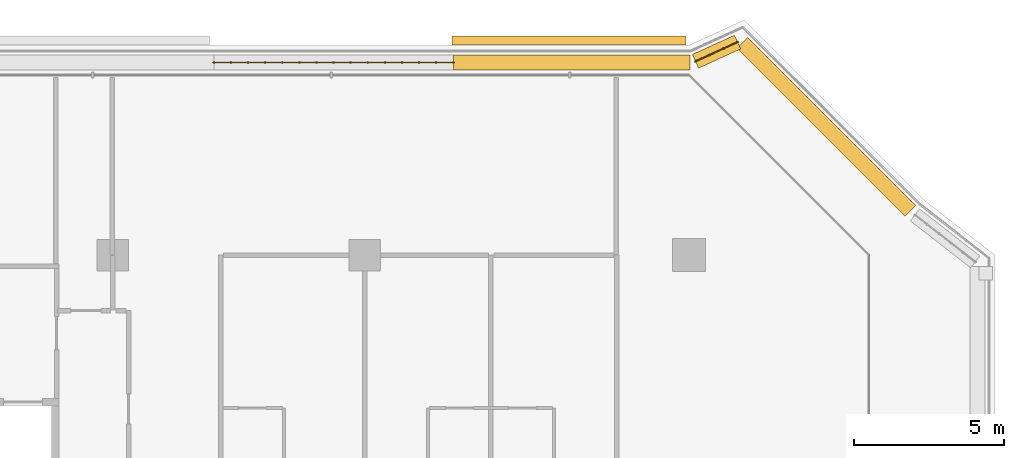
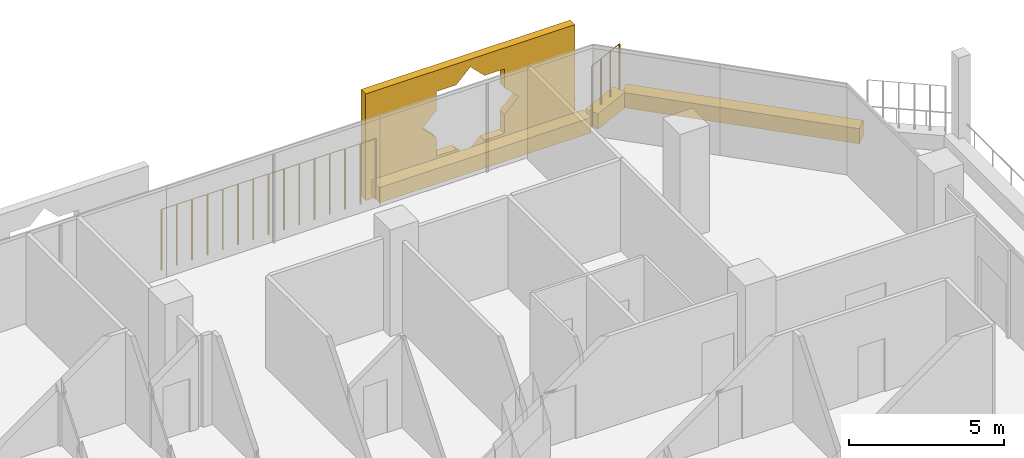
# One storey, part 25 of 25: 4 coverings, 2 railings.
"""IFC4 building model written with IfcOpenShell, lengths in metres."""

from ifc_helpers import new_model, si_unit, direction, frame, origin, origin_2d, place, context, subcontext, project, spatial, polyline, rectangle, circle, outline, extrude, material, material_profile, profile_set, type_object, element, save


model = new_model("IFC4")

# Units and contexts
model_context = context("Model", 3, precision=1e-05, world=origin(), true_north=direction((0.0, 1.0)))
body_context = subcontext(model_context, "Body", "Model", "MODEL_VIEW")
ifc_project = project(units=[si_unit("LENGTHUNIT", "METRE"), si_unit("AREAUNIT", "SQUARE_METRE"), si_unit("VOLUMEUNIT", "CUBIC_METRE"), si_unit("PLANEANGLEUNIT", "RADIAN"), si_unit("MASSUNIT", "GRAM", prefix="KILO")], contexts=[model_context])

# Site, building, storey
site_placement = place(None, origin())
site = spatial("IfcSite", under=ifc_project, at=site_placement, CompositionType="ELEMENT")
building_placement = place(site_placement, origin())
building = spatial("IfcBuilding", under=site, at=building_placement, Name="Kawkab Arch Medical Tower", CompositionType="ELEMENT")
storey_placement = place(building_placement, frame((0.0, 0.0, 132.39990234375)))
storey = spatial("IfcBuildingStorey", under=building, at=storey_placement, Name="L30", CompositionType="ELEMENT", Elevation=132.39990234375)

# Coverings
ifc_material_1 = material(Name="Bronze anodised aluminium mashrabiya panel, eight-point star pattern", Category="aluminium")
ifc_material_profile_1 = material_profile(ifc_material_1, outline(polyline([(-3.89990234375, -2.10009765625), (3.89990234375, -2.10009765625), (3.89990234375, 2.10009765625), (-3.89990234375, 2.10009765625), (-3.89990234375, -2.10009765625)]), holes=[polyline([(1.800048828125, 0.0), (1.272705078125, 0.527099609375), (1.272705078125, 1.272705078125), (0.527099609375, 1.272705078125), (0.0, 1.800048828125), (-0.527099609375, 1.272705078125), (-1.272705078125, 1.272705078125), (-1.272705078125, 0.527099609375), (-1.800048828125, 0.0), (-1.272705078125, -0.527099609375), (-1.272705078125, -1.272705078125), (-0.527099609375, -1.272705078125), (0.0, -1.800048828125), (0.527099609375, -1.272705078125), (1.272705078125, -1.272705078125), (1.272705078125, -0.527099609375), (1.800048828125, 0.0)])]), Name="Mashrabiya panel 7800x4200")
ifc_profile_set_1 = profile_set([ifc_material_profile_1], Name="Bronze anodised aluminium mashrabiya panel, eight-point star pattern")
covering_type_1 = type_object("IfcCoveringType", Name="Mashrabiya panel 7800 x 4200", PredefinedType="USERDEFINED", material=ifc_profile_set_1)
covering_1_placement = place(storey_placement, frame((65.60693359375, 7.0, 1.7001953125), z_axis=(0.0, 1.0, 0.0), x_axis=(-1.0, 0.0, 0.0)))
element("IfcCovering", 1, at=covering_1_placement, inside=storey, type_object=covering_type_1, Name="Mashrabiya panel L30.LOG-01-01.9", ObjectType="SCREEN", PredefinedType="USERDEFINED", context=body_context, shape_type="SweptSolid", body=[
    extrude(outline(polyline([(-3.89990234375, -2.10009765625), (3.89990234375, -2.10009765625), (3.89990234375, 2.10009765625), (-3.89990234375, 2.10009765625), (-3.89990234375, -2.10009765625)]), holes=[polyline([(1.800048828125, 0.0), (1.272705078125, 0.527099609375), (1.272705078125, 1.272705078125), (0.527099609375, 1.272705078125), (0.0, 1.800048828125), (-0.527099609375, 1.272705078125), (-1.272705078125, 1.272705078125), (-1.272705078125, 0.527099609375), (-1.800048828125, 0.0), (-1.272705078125, -0.527099609375), (-1.272705078125, -1.272705078125), (-0.527099609375, -1.272705078125), (0.0, -1.800048828125), (0.527099609375, -1.272705078125), (1.272705078125, -1.272705078125), (1.272705078125, -0.527099609375), (1.800048828125, 0.0)])]), origin(), (0.0, 0.0, 1.0), 0.300048828125),
])
ifc_material_2 = material(Name="Planting soil in a precast trough", Category="concrete")
ifc_material_profile_2 = material_profile(ifc_material_2, rectangle(XDim=0.5, YDim=0.60009765625, at=origin_2d()), Name="Trough 500x600")
ifc_profile_set_2 = profile_set([ifc_material_profile_2], Name="Planting soil in a precast trough")
covering_type_2 = type_object("IfcCoveringType", Name="Planter trough 500 x 600", PredefinedType="USERDEFINED", material=ifc_profile_set_2)
covering_2_placement = place(storey_placement, frame((61.743896484375, 6.419921875, 0.300048828125), z_axis=(1.0, 0.0, 0.0), x_axis=(0.0, 1.0, 0.0)))
element("IfcCovering", 2, at=covering_2_placement, inside=storey, type_object=covering_type_2, Name="Planter L30.LOG-01-01.24", ObjectType="PLANTER", PredefinedType="USERDEFINED", context=body_context, shape_type="SweptSolid", body=[
    extrude(rectangle(XDim=0.5, YDim=0.60009765625, at=origin_2d()), origin(), (0.0, 0.0, 1.0), 7.882080078125),
])
covering_3_placement = place(storey_placement, frame((69.81689453125, 6.4609375, 0.300048828125), z_axis=(0.909655525109, 0.415363486165, 0.0), x_axis=(-0.415363486165, 0.909655525109, 0.0)))
element("IfcCovering", 3, at=covering_3_placement, inside=storey, type_object=covering_type_2, Name="Planter L30.LOG-01-01.25", ObjectType="PLANTER", PredefinedType="USERDEFINED", context=body_context, shape_type="SweptSolid", body=[
    extrude(rectangle(XDim=0.5, YDim=0.60009765625, at=origin_2d()), origin(), (0.0, 0.0, 1.0), 1.54345703125),
])
covering_4_placement = place(storey_placement, frame((71.383056640625, 7.072998046875, 0.300048828125), z_axis=(0.707091367247, -0.70712219479, 0.0), x_axis=(0.70712219479, 0.707091367247, 0.0)))
element("IfcCovering", 4, at=covering_4_placement, inside=storey, type_object=covering_type_2, Name="Planter L30.LOG-01-01.26", ObjectType="PLANTER", PredefinedType="USERDEFINED", context=body_context, shape_type="SweptSolid", body=[
    extrude(rectangle(XDim=0.5, YDim=0.60009765625, at=origin_2d()), origin(), (0.0, 0.0, 1.0), 7.919677734375),
])

# Railings
ifc_material_3 = material(Name="Bronze anodised aluminium trellis for climbing plants", Category="aluminium")
railing_type = type_object("IfcRailingType", Name="Planting trellis 2400", PredefinedType="USERDEFINED", material=ifc_material_3)
railing_1_placement = place(storey_placement, frame((53.762939453125, 6.419921875, 0.0)))
element("IfcRailing", 5, at=railing_1_placement, inside=storey, type_object=railing_type, Name="Planting trellis L30.LOG-01-01.23", ObjectType="TRELLIS", PredefinedType="USERDEFINED", context=body_context, shape_type="SweptSolid", body=[
    extrude(circle(Radius=0.01513671875, at=origin_2d()), frame((0.0, 0.0, 2.384765625), z_axis=(1.0, 0.0, 0.0), x_axis=(0.0, 1.0, 0.0)), (0.0, 0.0, 1.0), 7.98095703125),
    extrude(circle(Radius=0.030029296875, at=origin_2d()), origin(), (0.0, 0.0, 1.0), 2.369873046875),
    extrude(circle(Radius=0.030029296875, at=origin_2d()), frame((0.570068359375, 0.0, 0.0)), (0.0, 0.0, 1.0), 2.369873046875),
    extrude(circle(Radius=0.030029296875, at=origin_2d()), frame((1.14013671875, 0.0, 0.0)), (0.0, 0.0, 1.0), 2.369873046875),
    extrude(circle(Radius=0.030029296875, at=origin_2d()), frame((1.710205078125, 0.0, 0.0)), (0.0, 0.0, 1.0), 2.369873046875),
    extrude(circle(Radius=0.030029296875, at=origin_2d()), frame((2.2802734375, 0.0, 0.0)), (0.0, 0.0, 1.0), 2.369873046875),
    extrude(circle(Radius=0.030029296875, at=origin_2d()), frame((2.850341796875, 0.0, 0.0)), (0.0, 0.0, 1.0), 2.369873046875),
    extrude(circle(Radius=0.030029296875, at=origin_2d()), frame((3.42041015625, 0.0, 0.0)), (0.0, 0.0, 1.0), 2.369873046875),
    extrude(circle(Radius=0.030029296875, at=origin_2d()), frame((3.990478515625, 0.0, 0.0)), (0.0, 0.0, 1.0), 2.369873046875),
    extrude(circle(Radius=0.030029296875, at=origin_2d()), frame((4.560546875, 0.0, 0.0)), (0.0, 0.0, 1.0), 2.369873046875),
    extrude(circle(Radius=0.030029296875, at=origin_2d()), frame((5.130615234375, 0.0, 0.0)), (0.0, 0.0, 1.0), 2.369873046875),
    extrude(circle(Radius=0.030029296875, at=origin_2d()), frame((5.70068359375, 0.0, 0.0)), (0.0, 0.0, 1.0), 2.369873046875),
    extrude(circle(Radius=0.030029296875, at=origin_2d()), frame((6.270751953125, 0.0, 0.0)), (0.0, 0.0, 1.0), 2.369873046875),
    extrude(circle(Radius=0.030029296875, at=origin_2d()), frame((6.8408203125, 0.0, 0.0)), (0.0, 0.0, 1.0), 2.369873046875),
    extrude(circle(Radius=0.030029296875, at=origin_2d()), frame((7.410888671875, 0.0, 0.0)), (0.0, 0.0, 1.0), 2.369873046875),
    extrude(circle(Radius=0.030029296875, at=origin_2d()), frame((7.98095703125, 0.0, 0.0)), (0.0, 0.0, 1.0), 2.369873046875),
])
railing_2_placement = place(storey_placement, frame((69.81689453125, 6.4609375, 0.0)))
element("IfcRailing", 6, at=railing_2_placement, inside=storey, type_object=railing_type, Name="Planting trellis L30.LOG-01-01.25", ObjectType="TRELLIS", PredefinedType="USERDEFINED", context=body_context, shape_type="SweptSolid", body=[
    extrude(circle(Radius=0.01513671875, at=origin_2d()), frame((0.0, 0.0, 2.384765625), z_axis=(0.909655525109, 0.415363486165, 0.0), x_axis=(-0.415363486165, 0.909655525109, 0.0)), (0.0, 0.0, 1.0), 1.54345703125),
    extrude(circle(Radius=0.030029296875, at=origin_2d()), origin(), (0.0, 0.0, 1.0), 2.369873046875),
    extrude(circle(Radius=0.030029296875, at=origin_2d()), frame((0.468017578125, 0.213623046875, 0.0)), (0.0, 0.0, 1.0), 2.369873046875),
    extrude(circle(Radius=0.030029296875, at=origin_2d()), frame((0.93603515625, 0.427490234375, 0.0)), (0.0, 0.0, 1.0), 2.369873046875),
    extrude(circle(Radius=0.030029296875, at=origin_2d()), frame((1.404052734375, 0.64111328125, 0.0)), (0.0, 0.0, 1.0), 2.369873046875),
])

save(model, "model.ifc")
